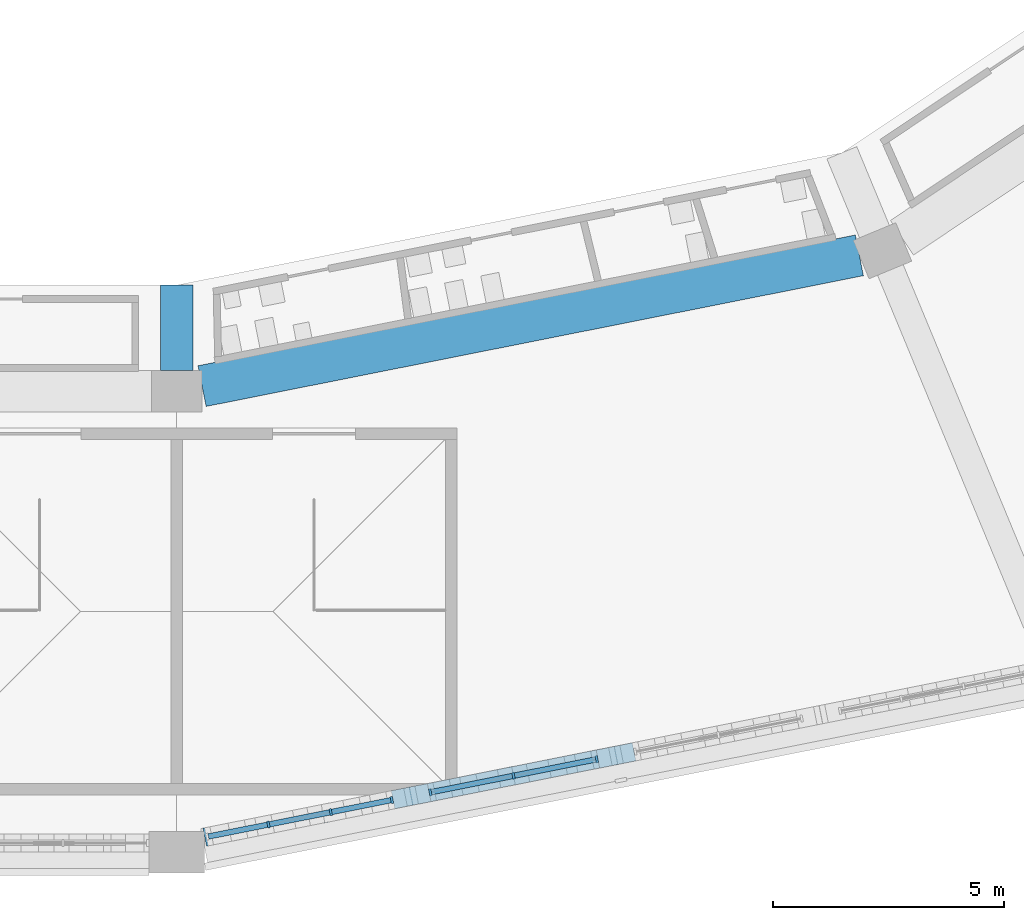
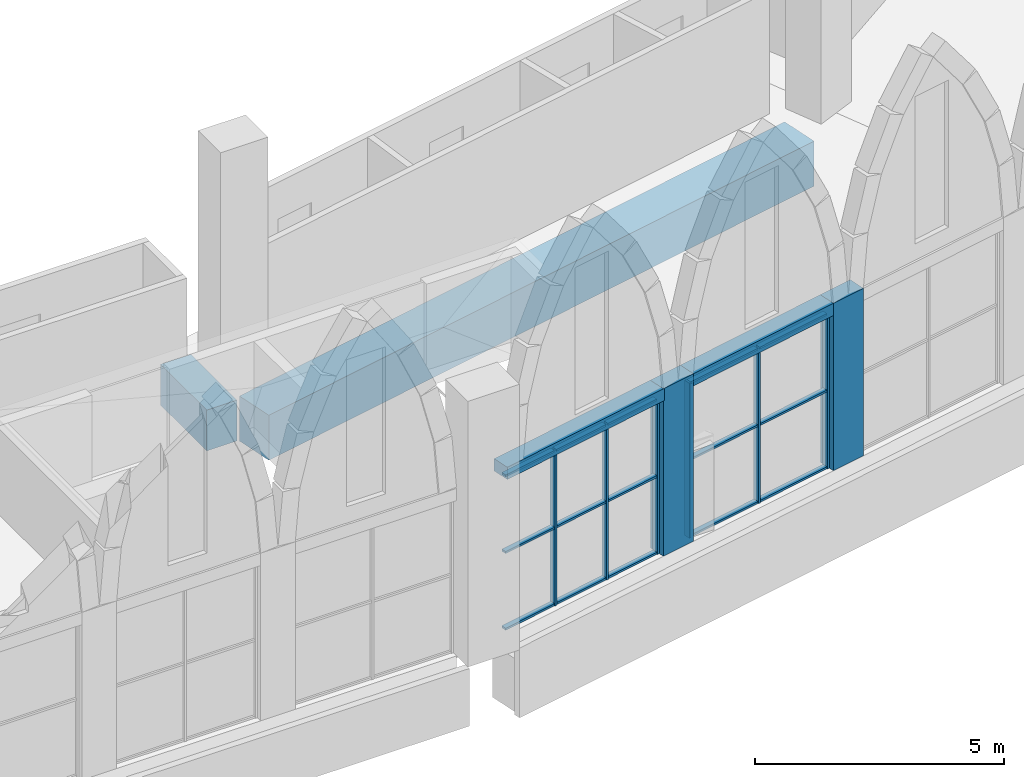
# One storey, part 12 of 130: 23 members, 4 beams, 2 elements without a shape of their own.
"""IFC4 building model written with IfcOpenShell, lengths in metres."""

from ifc_helpers import new_model, si_unit, direction, frame, origin, origin_2d, place, context, subcontext, project, spatial, rectangle, extrude, material, material_profile, profile_set, type_object, element, aggregate, save


model = new_model("IFC4")

# Units and contexts
model_context = context("Model", 3, precision=1e-05, world=origin(), true_north=direction((0.0, 1.0)))
body_context = subcontext(model_context, "Body", "Model", "MODEL_VIEW")
ifc_project = project(units=[si_unit("LENGTHUNIT", "METRE"), si_unit("AREAUNIT", "SQUARE_METRE"), si_unit("VOLUMEUNIT", "CUBIC_METRE"), si_unit("PLANEANGLEUNIT", "RADIAN"), si_unit("MASSUNIT", "GRAM", prefix="KILO")], contexts=[model_context])

# Site, building, storey
site_placement = place(None, origin())
site = spatial("IfcSite", under=ifc_project, at=site_placement, CompositionType="ELEMENT")
building_placement = place(site_placement, origin())
building = spatial("IfcBuilding", under=site, at=building_placement, Name="Ogive Plaza Stadium", CompositionType="ELEMENT")
storey_placement = place(building_placement, frame((0.0, 0.0, 22.5)))
storey = spatial("IfcBuildingStorey", under=building, at=storey_placement, Name="L05", CompositionType="ELEMENT", Elevation=22.5)

# Curtain wall, members
ifc_material_1 = material(Name="Bronze-anodised aluminium with laminated glass", Category="aluminium")
curtain_wall_type = type_object("IfcCurtainWallType", Name="Lancet curtain wall", PredefinedType="NOTDEFINED", material=ifc_material_1)
curtain_wall_1_placement = place(storey_placement, origin())
curtain_wall_1 = element("IfcCurtainWall", 1, at=curtain_wall_1_placement, inside=storey, type_object=curtain_wall_type, Name="CURTAIN WALL B11 L05", PredefinedType="NOTDEFINED")
ifc_material_2 = material(Name="Bronze-anodised aluminium", Category="aluminium")
ifc_material_profile_1 = material_profile(ifc_material_2, rectangle(XDim=0.14990234375, YDim=0.050048828125, at=origin_2d()), Name="AL 150x50")
ifc_profile_set_1 = profile_set([ifc_material_profile_1], Name="Bronze-anodised aluminium")
member_type_1 = type_object("IfcMemberType", Name="Curtain wall mullion 50x150", PredefinedType="MULLION", material=ifc_profile_set_1)
member_1_placement = place(storey_placement, frame((43.111328125, -100.483642578125, 0.0), z_axis=(0.0, 0.0, 1.0), x_axis=(0.195090321948, -0.980785280417, 0.0)))
member_1 = element("IfcMember", 2, at=member_1_placement, type_object=member_type_1, Name="CW-B11-L05.3 mullion 1", PredefinedType="MULLION", context=body_context, shape_type="SweptSolid", body=[
    extrude(rectangle(XDim=0.14990234375, YDim=0.050048828125, at=origin_2d()), origin(), (0.0, 0.0, 1.0), 3.800048828125),
])
member_2_placement = place(storey_placement, frame((41.305908203125, -100.8427734375, 0.0), z_axis=(0.0, 0.0, 1.0), x_axis=(0.195090321948, -0.980785280417, 0.0)))
member_2 = element("IfcMember", 3, at=member_2_placement, type_object=member_type_1, Name="CW-B11-L05.3 mullion 2", PredefinedType="MULLION", context=body_context, shape_type="SweptSolid", body=[
    extrude(rectangle(XDim=0.14990234375, YDim=0.050048828125, at=origin_2d()), origin(), (0.0, 0.0, 1.0), 3.800048828125),
])
member_3_placement = place(storey_placement, frame((39.50048828125, -101.201904296875, 0.0), z_axis=(0.0, 0.0, 1.0), x_axis=(0.195090321948, -0.980785280417, 0.0)))
member_3 = element("IfcMember", 4, at=member_3_placement, type_object=member_type_1, Name="CW-B11-L05.3 mullion 3", PredefinedType="MULLION", context=body_context, shape_type="SweptSolid", body=[
    extrude(rectangle(XDim=0.14990234375, YDim=0.050048828125, at=origin_2d()), origin(), (0.0, 0.0, 1.0), 3.800048828125),
])

curtain_wall_2_placement = place(storey_placement, origin())
curtain_wall_2 = element("IfcCurtainWall", 5, at=curtain_wall_2_placement, inside=storey, type_object=curtain_wall_type, Name="CURTAIN WALL B11 L05", PredefinedType="NOTDEFINED")
member_4_placement = place(storey_placement, frame((38.666748046875, -101.367919921875, 0.0), z_axis=(0.0, 0.0, 1.0), x_axis=(0.195090322016, -0.980785280403, 0.0)))
member_4 = element("IfcMember", 6, at=member_4_placement, type_object=member_type_1, Name="CW-B11-L05.4 mullion 1", PredefinedType="MULLION", context=body_context, shape_type="SweptSolid", body=[
    extrude(rectangle(XDim=0.14990234375, YDim=0.050048828125, at=origin_2d()), origin(), (0.0, 0.0, 1.0), 3.800048828125),
])
member_5_placement = place(storey_placement, frame((37.340576171875, -101.631591796875, 0.0), z_axis=(0.0, 0.0, 1.0), x_axis=(0.195090322016, -0.980785280403, 0.0)))
member_5 = element("IfcMember", 7, at=member_5_placement, type_object=member_type_1, Name="CW-B11-L05.4 mullion 2", PredefinedType="MULLION", context=body_context, shape_type="SweptSolid", body=[
    extrude(rectangle(XDim=0.14990234375, YDim=0.050048828125, at=origin_2d()), origin(), (0.0, 0.0, 1.0), 3.800048828125),
])
member_6_placement = place(storey_placement, frame((35.98974609375, -101.900390625, 0.0), z_axis=(0.0, 0.0, 1.0), x_axis=(0.195090322016, -0.980785280403, 0.0)))
member_6 = element("IfcMember", 8, at=member_6_placement, type_object=member_type_1, Name="CW-B11-L05.4 mullion 3", PredefinedType="MULLION", context=body_context, shape_type="SweptSolid", body=[
    extrude(rectangle(XDim=0.14990234375, YDim=0.050048828125, at=origin_2d()), origin(), (0.0, 0.0, 1.0), 3.800048828125),
])

# Member
ifc_material_3 = material(Name="Bronze-anodised aluminium", Category="aluminium")
ifc_material_profile_2 = material_profile(ifc_material_3, rectangle(XDim=0.1201171875, YDim=0.050048828125, at=origin_2d()), Name="AL 120x50")
ifc_profile_set_2 = profile_set([ifc_material_profile_2], Name="Bronze-anodised aluminium")
member_type_2 = type_object("IfcMemberType", Name="Curtain wall transom 50x120", PredefinedType="USERDEFINED", material=ifc_profile_set_2)
member_7_placement = place(storey_placement, frame((43.086669921875, -100.488525390625, 0.02490234375), z_axis=(-0.980784643133, -0.195093525761, 0.0), x_axis=(0.195093525761, -0.980784643133, 0.0)))
member_7 = element("IfcMember", 9, at=member_7_placement, type_object=member_type_2, Name="CW-B11-L05.3 transom 1.1", ObjectType="TRANSOM", PredefinedType="USERDEFINED", context=body_context, shape_type="SweptSolid", body=[
    extrude(rectangle(XDim=0.1201171875, YDim=0.050048828125, at=origin_2d()), origin(), (0.0, 0.0, 1.0), 1.790771484375),
])

member_8_placement = place(storey_placement, frame((43.086669921875, -100.488525390625, 1.89990234375), z_axis=(-0.980784643133, -0.195093525761, 0.0), x_axis=(0.195093525761, -0.980784643133, 0.0)))
member_8 = element("IfcMember", 10, at=member_8_placement, type_object=member_type_2, Name="CW-B11-L05.3 transom 1.2", ObjectType="TRANSOM", PredefinedType="USERDEFINED", context=body_context, shape_type="SweptSolid", body=[
    extrude(rectangle(XDim=0.1201171875, YDim=0.050048828125, at=origin_2d()), origin(), (0.0, 0.0, 1.0), 1.790771484375),
])

member_9_placement = place(storey_placement, frame((43.086669921875, -100.488525390625, 3.77490234375), z_axis=(-0.980784643133, -0.195093525761, 0.0), x_axis=(0.195093525761, -0.980784643133, 0.0)))
member_9 = element("IfcMember", 11, at=member_9_placement, type_object=member_type_2, Name="CW-B11-L05.3 transom 1.3", ObjectType="TRANSOM", PredefinedType="USERDEFINED", context=body_context, shape_type="SweptSolid", body=[
    extrude(rectangle(XDim=0.1201171875, YDim=0.050048828125, at=origin_2d()), origin(), (0.0, 0.0, 1.0), 1.790771484375),
])

member_10_placement = place(storey_placement, frame((41.28125, -100.84765625, 0.02490234375), z_axis=(-0.980784643133, -0.195093525761, 0.0), x_axis=(0.195093525761, -0.980784643133, 0.0)))
member_10 = element("IfcMember", 12, at=member_10_placement, type_object=member_type_2, Name="CW-B11-L05.3 transom 2.1", ObjectType="TRANSOM", PredefinedType="USERDEFINED", context=body_context, shape_type="SweptSolid", body=[
    extrude(rectangle(XDim=0.1201171875, YDim=0.050048828125, at=origin_2d()), origin(), (0.0, 0.0, 1.0), 1.790771484375),
])

member_11_placement = place(storey_placement, frame((41.28125, -100.84765625, 1.89990234375), z_axis=(-0.980784643133, -0.195093525761, 0.0), x_axis=(0.195093525761, -0.980784643133, 0.0)))
member_11 = element("IfcMember", 13, at=member_11_placement, type_object=member_type_2, Name="CW-B11-L05.3 transom 2.2", ObjectType="TRANSOM", PredefinedType="USERDEFINED", context=body_context, shape_type="SweptSolid", body=[
    extrude(rectangle(XDim=0.1201171875, YDim=0.050048828125, at=origin_2d()), origin(), (0.0, 0.0, 1.0), 1.790771484375),
])

member_12_placement = place(storey_placement, frame((41.28125, -100.84765625, 3.77490234375), z_axis=(-0.980784643133, -0.195093525761, 0.0), x_axis=(0.195093525761, -0.980784643133, 0.0)))
member_12 = element("IfcMember", 14, at=member_12_placement, type_object=member_type_2, Name="CW-B11-L05.3 transom 2.3", ObjectType="TRANSOM", PredefinedType="USERDEFINED", context=body_context, shape_type="SweptSolid", body=[
    extrude(rectangle(XDim=0.1201171875, YDim=0.050048828125, at=origin_2d()), origin(), (0.0, 0.0, 1.0), 1.790771484375),
])

aggregate(curtain_wall_1, [member_1, member_2, member_3, member_7, member_8, member_9, member_10, member_11, member_12])

member_13_placement = place(storey_placement, frame((38.64208984375, -101.372802734375, 0.02490234375), z_axis=(-0.980803594267, -0.194998229409, 0.0), x_axis=(0.194998229409, -0.980803594267, 0.0)))
member_13 = element("IfcMember", 15, at=member_13_placement, type_object=member_type_2, Name="CW-B11-L05.4 transom 1.1", ObjectType="TRANSOM", PredefinedType="USERDEFINED", context=body_context, shape_type="SweptSolid", body=[
    extrude(rectangle(XDim=0.1201171875, YDim=0.050048828125, at=origin_2d()), origin(), (0.0, 0.0, 1.0), 1.302001953125),
])

member_14_placement = place(storey_placement, frame((38.64208984375, -101.372802734375, 1.89990234375), z_axis=(-0.980803594267, -0.194998229409, 0.0), x_axis=(0.194998229409, -0.980803594267, 0.0)))
member_14 = element("IfcMember", 16, at=member_14_placement, type_object=member_type_2, Name="CW-B11-L05.4 transom 1.2", ObjectType="TRANSOM", PredefinedType="USERDEFINED", context=body_context, shape_type="SweptSolid", body=[
    extrude(rectangle(XDim=0.1201171875, YDim=0.050048828125, at=origin_2d()), origin(), (0.0, 0.0, 1.0), 1.302001953125),
])

member_15_placement = place(storey_placement, frame((38.64208984375, -101.372802734375, 3.77490234375), z_axis=(-0.980803594267, -0.194998229409, 0.0), x_axis=(0.194998229409, -0.980803594267, 0.0)))
member_15 = element("IfcMember", 17, at=member_15_placement, type_object=member_type_2, Name="CW-B11-L05.4 transom 1.3", ObjectType="TRANSOM", PredefinedType="USERDEFINED", context=body_context, shape_type="SweptSolid", body=[
    extrude(rectangle(XDim=0.1201171875, YDim=0.050048828125, at=origin_2d()), origin(), (0.0, 0.0, 1.0), 1.302001953125),
])

member_16_placement = place(storey_placement, frame((37.31591796875, -101.636474609375, 0.02490234375), z_axis=(-0.980771225801, -0.195160965974, 0.0), x_axis=(0.195160965974, -0.980771225801, 0.0)))
member_16 = element("IfcMember", 18, at=member_16_placement, type_object=member_type_2, Name="CW-B11-L05.4 transom 2.1", ObjectType="TRANSOM", PredefinedType="USERDEFINED", context=body_context, shape_type="SweptSolid", body=[
    extrude(rectangle(XDim=0.1201171875, YDim=0.050048828125, at=origin_2d()), origin(), (0.0, 0.0, 1.0), 1.327392578125),
])

member_17_placement = place(storey_placement, frame((37.31591796875, -101.636474609375, 1.89990234375), z_axis=(-0.980771225801, -0.195160965974, 0.0), x_axis=(0.195160965974, -0.980771225801, 0.0)))
member_17 = element("IfcMember", 19, at=member_17_placement, type_object=member_type_2, Name="CW-B11-L05.4 transom 2.2", ObjectType="TRANSOM", PredefinedType="USERDEFINED", context=body_context, shape_type="SweptSolid", body=[
    extrude(rectangle(XDim=0.1201171875, YDim=0.050048828125, at=origin_2d()), origin(), (0.0, 0.0, 1.0), 1.327392578125),
])

member_18_placement = place(storey_placement, frame((37.31591796875, -101.636474609375, 3.77490234375), z_axis=(-0.980771225801, -0.195160965974, 0.0), x_axis=(0.195160965974, -0.980771225801, 0.0)))
member_18 = element("IfcMember", 20, at=member_18_placement, type_object=member_type_2, Name="CW-B11-L05.4 transom 2.3", ObjectType="TRANSOM", PredefinedType="USERDEFINED", context=body_context, shape_type="SweptSolid", body=[
    extrude(rectangle(XDim=0.1201171875, YDim=0.050048828125, at=origin_2d()), origin(), (0.0, 0.0, 1.0), 1.327392578125),
])

member_19_placement = place(storey_placement, frame((35.96533203125, -101.9052734375, 0.02490234375), z_axis=(-0.980810721794, -0.194962375892, 0.0), x_axis=(0.194962375892, -0.980810721794, 0.0)))
member_19 = element("IfcMember", 21, at=member_19_placement, type_object=member_type_2, Name="CW-B11-L05.4 transom 3.1", ObjectType="TRANSOM", PredefinedType="USERDEFINED", context=body_context, shape_type="SweptSolid", body=[
    extrude(rectangle(XDim=0.1201171875, YDim=0.050048828125, at=origin_2d()), origin(), (0.0, 0.0, 1.0), 1.30224609375),
])

member_20_placement = place(storey_placement, frame((35.96533203125, -101.9052734375, 1.89990234375), z_axis=(-0.980810721794, -0.194962375892, 0.0), x_axis=(0.194962375892, -0.980810721794, 0.0)))
member_20 = element("IfcMember", 22, at=member_20_placement, type_object=member_type_2, Name="CW-B11-L05.4 transom 3.2", ObjectType="TRANSOM", PredefinedType="USERDEFINED", context=body_context, shape_type="SweptSolid", body=[
    extrude(rectangle(XDim=0.1201171875, YDim=0.050048828125, at=origin_2d()), origin(), (0.0, 0.0, 1.0), 1.30224609375),
])

member_21_placement = place(storey_placement, frame((35.96533203125, -101.9052734375, 3.77490234375), z_axis=(-0.980810721794, -0.194962375892, 0.0), x_axis=(0.194962375892, -0.980810721794, 0.0)))
member_21 = element("IfcMember", 23, at=member_21_placement, type_object=member_type_2, Name="CW-B11-L05.4 transom 3.3", ObjectType="TRANSOM", PredefinedType="USERDEFINED", context=body_context, shape_type="SweptSolid", body=[
    extrude(rectangle(XDim=0.1201171875, YDim=0.050048828125, at=origin_2d()), origin(), (0.0, 0.0, 1.0), 1.30224609375),
])

aggregate(curtain_wall_2, [member_4, member_5, member_6, member_13, member_14, member_15, member_16, member_17, member_18, member_19, member_20, member_21])

# Members
ifc_material_4 = material(Name="Concrete C45/55 precast", Category="concrete")
ifc_material_profile_3 = material_profile(ifc_material_4, rectangle(XDim=0.39990234375, YDim=0.800048828125, at=origin_2d()), Name="RC 400x800")
ifc_profile_set_3 = profile_set([ifc_material_profile_3], Name="Concrete C45/55 precast")
member_type_3 = type_object("IfcMemberType", Name="Precast colonette 800x400", PredefinedType="POST", material=ifc_profile_set_3)
for number, where, z_axis, x_axis, name in (
    (24, (43.528076171875, -100.40087890625, 0.0), (0.0, 0.0, 1.0), (0.195090322016, -0.980785280403, 0.0), "COLONETTE B11 2"),
    (25, (39.08349609375, -101.284912109375, 0.0), (0.0, 0.0, 1.0), (0.195090322016, -0.980785280403, 0.0), "COLONETTE B11 3"),
):
    element("IfcMember", number, at=place(storey_placement, frame(where, z_axis=z_axis, x_axis=x_axis)), inside=storey, type_object=member_type_3, Name=name, PredefinedType="POST", context=body_context, shape_type="SweptSolid", body=[
        extrude(rectangle(XDim=0.39990234375, YDim=0.800048828125, at=origin_2d()), origin(), (0.0, 0.0, 1.0), 4.10009765625),
    ])

# Beams
ifc_material_5 = material(Name="Concrete C45/55 precast", Category="concrete")
ifc_material_profile_4 = material_profile(ifc_material_5, rectangle(XDim=0.39990234375, YDim=0.300048828125, at=origin_2d()), Name="RC 400x300")
ifc_profile_set_4 = profile_set([ifc_material_profile_4], Name="Concrete C45/55 precast")
beam_type_1 = type_object("IfcBeamType", Name="Precast tympanum lintel 400x300", PredefinedType="BEAM", material=ifc_profile_set_4)
beam_1_placement = place(storey_placement, frame((43.165283203125, -100.472900390625, 3.949951171875), z_axis=(-0.980783225054, -0.195100654669, 0.0), x_axis=(0.195100654669, -0.980783225054, 0.0)))
element("IfcBeam", 26, at=beam_1_placement, inside=storey, type_object=beam_type_1, Name="TYMPANUM LINTEL B11 3", PredefinedType="BEAM", context=body_context, shape_type="SweptSolid", body=[
    extrude(rectangle(XDim=0.39990234375, YDim=0.300048828125, at=origin_2d()), origin(), (0.0, 0.0, 1.0), 3.79150390625),
])
beam_2_placement = place(storey_placement, frame((38.720703125, -101.357177734375, 3.949951171875), z_axis=(-0.980790689171, -0.195063128335, 0.0), x_axis=(0.195063128335, -0.980790689171, 0.0)))
element("IfcBeam", 27, at=beam_2_placement, inside=storey, type_object=beam_type_1, Name="TYMPANUM LINTEL B11 4", PredefinedType="BEAM", context=body_context, shape_type="SweptSolid", body=[
    extrude(rectangle(XDim=0.39990234375, YDim=0.300048828125, at=origin_2d()), origin(), (0.0, 0.0, 1.0), 4.191650390625),
])
ifc_material_6 = material(Name="Concrete C40/50", Category="concrete")
ifc_material_profile_5 = material_profile(ifc_material_6, rectangle(XDim=0.699951171875, YDim=1.0, at=origin_2d()), Name="RC 700x1000")
ifc_profile_set_5 = profile_set([ifc_material_profile_5], Name="Concrete C40/50")
beam_type_2 = type_object("IfcBeamType", Name="RC radial beam 700x1000", PredefinedType="BEAM", material=ifc_profile_set_5)
beam_3_placement = place(storey_placement, frame((34.0, -90.199951171875, -0.909912109375), z_axis=(0.0, -1.0, 0.0), x_axis=(1.0, 0.0, 0.0)))
element("IfcBeam", 28, at=beam_3_placement, inside=storey, type_object=beam_type_2, Name="Raker tail beam UT R12", PredefinedType="BEAM", context=body_context, shape_type="SweptSolid", body=[
    extrude(rectangle(XDim=0.699951171875, YDim=1.0, at=origin_2d()), origin(), (0.0, 0.0, 1.0), 1.85009765625),
])
ifc_material_7 = material(Name="Concrete C40/50", Category="concrete")
ifc_material_profile_6 = material_profile(ifc_material_7, rectangle(XDim=0.89990234375, YDim=1.10009765625, at=origin_2d()), Name="RC 900x1100")
ifc_profile_set_6 = profile_set([ifc_material_profile_6], Name="Concrete C40/50")
beam_type_3 = type_object("IfcBeamType", Name="RC ring beam 900x1100", PredefinedType="BEAM", material=ifc_profile_set_6)
beam_4_placement = place(storey_placement, frame((48.807373046875, -89.5546875, -0.9599609375), z_axis=(-0.980785551724, -0.195088957992, 0.0), x_axis=(0.195088957992, -0.980785551724, 0.0)))
element("IfcBeam", 29, at=beam_4_placement, inside=storey, type_object=beam_type_3, Name="Ring beam F4 L05 B11", PredefinedType="BEAM", context=body_context, shape_type="SweptSolid", body=[
    extrude(rectangle(XDim=0.89990234375, YDim=1.10009765625, at=origin_2d()), origin(), (0.0, 0.0, 1.0), 14.53662109375),
])

save(model, "model.ifc")
